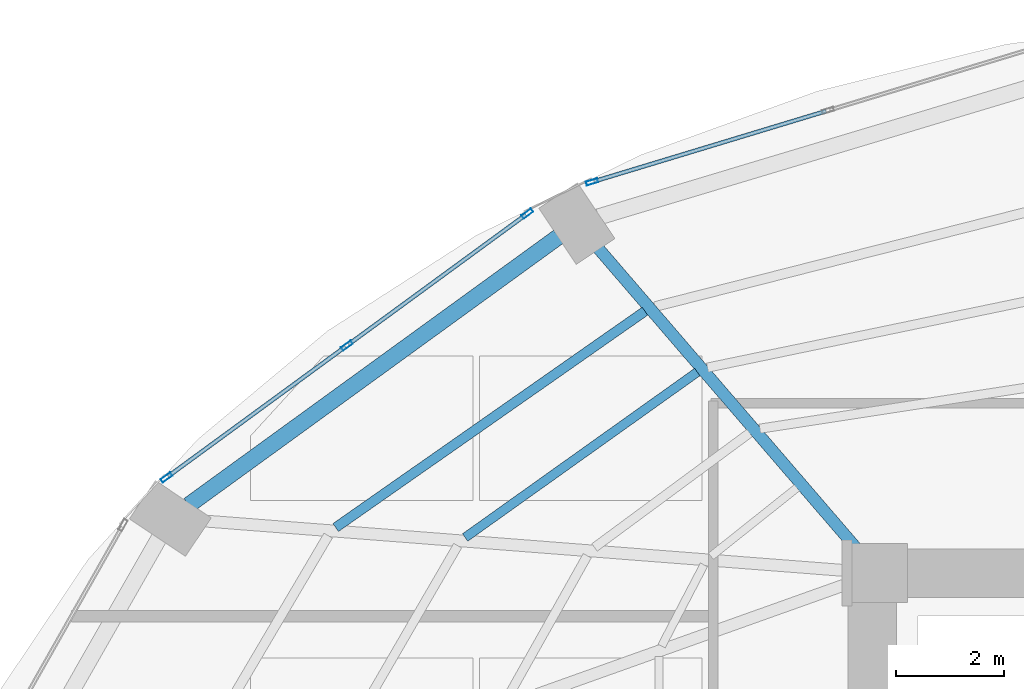
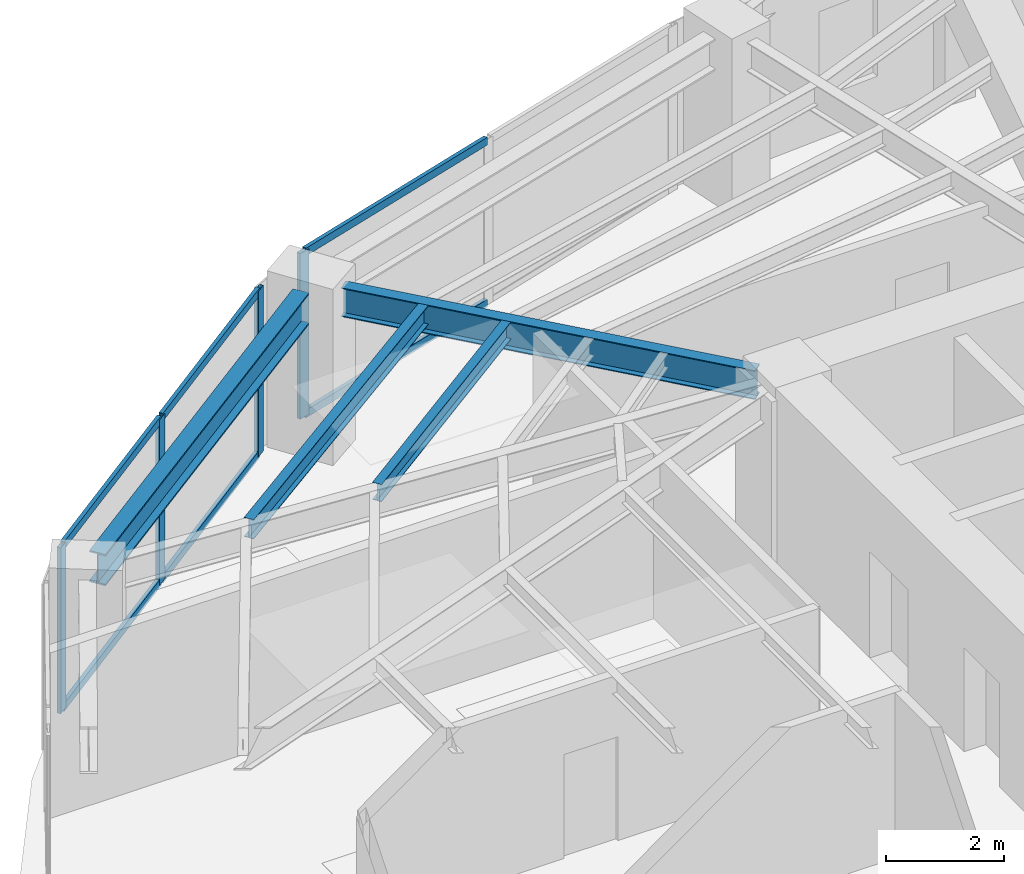
# One storey, part 13 of 24: 10 members, 4 beams, 2 elements without a shape of their own.
"""IFC4 building model written with IfcOpenShell, lengths in metres."""

from ifc_helpers import new_model, si_unit, direction, frame, origin, origin_2d, place, context, subcontext, project, spatial, hollow_rectangle, i_section, extrude, material, layer, layer_set, material_profile, profile_set, type_object, element, aggregate, save


model = new_model("IFC4")

# Units and contexts
model_context = context("Model", 3, precision=1e-05, world=origin(), true_north=direction((0.0, 1.0)))
body_context = subcontext(model_context, "Body", "Model", "MODEL_VIEW")
ifc_project = project(units=[si_unit("LENGTHUNIT", "METRE"), si_unit("AREAUNIT", "SQUARE_METRE"), si_unit("VOLUMEUNIT", "CUBIC_METRE"), si_unit("PLANEANGLEUNIT", "RADIAN"), si_unit("MASSUNIT", "GRAM", prefix="KILO")], contexts=[model_context])

# Site, building, storey
site_placement = place(None, origin())
site = spatial("IfcSite", under=ifc_project, at=site_placement, CompositionType="ELEMENT")
building_placement = place(site_placement, origin())
building = spatial("IfcBuilding", under=site, at=building_placement, Name="Lazwardi Medical Tower", CompositionType="ELEMENT")
storey_placement = place(building_placement, frame((0.0, 0.0, 61.679931640625)))
storey = spatial("IfcBuildingStorey", under=building, at=storey_placement, Name="L15", CompositionType="ELEMENT", Elevation=61.679931640625)

# Beams
ifc_material_1 = material(Name="Steel S355", Category="steel")
ifc_material_profile_1 = material_profile(ifc_material_1, i_section(OverallWidth=0.300048828125, OverallDepth=0.64990234375, WebThickness=0.01611328125, FlangeThickness=0.031005859375, at=origin_2d()), Name="HEB 650")
ifc_profile_set_1 = profile_set([ifc_material_profile_1], Name="Steel S355")
beam_type_1 = type_object("IfcBeamType", Name="BM-RB-Z1", PredefinedType="BEAM", material=ifc_profile_set_1)
beam_1_placement = place(storey_placement, frame((20.47900390625, 41.83740234375, 3.10302734375), z_axis=(-0.80939338516, -0.5872668457, 0.0), x_axis=(0.5872668457, -0.80939338516, 0.0)))
element("IfcBeam", 1, at=beam_1_placement, inside=storey, type_object=beam_type_1, Name="Ring beam RB-02 B10 L15", PredefinedType="BEAM", context=body_context, shape_type="SweptSolid", body=[
    extrude(i_section(OverallWidth=0.300048828125, OverallDepth=0.64990234375, WebThickness=0.01611328125, FlangeThickness=0.031005859375, at=origin_2d()), origin(), (0.0, 0.0, 1.0), 8.47412109375),
])
ifc_material_profile_2 = material_profile(ifc_material_1, i_section(OverallWidth=0.219970703125, OverallDepth=0.60009765625, WebThickness=0.011962890625, FlangeThickness=0.01904296875, at=origin_2d()), Name="IPE 600")
ifc_profile_set_2 = profile_set([ifc_material_profile_2], Name="Steel S355")
beam_type_2 = type_object("IfcBeamType", Name="BM-RG-W1", PredefinedType="BEAM", material=ifc_profile_set_2)
beam_2_placement = place(storey_placement, frame((21.197509765625, 41.644287109375, 3.128173828125), z_axis=(0.652368190463, -0.757902199543, 0.0), x_axis=(0.757902199543, 0.652368190463, 0.0)))
element("IfcBeam", 2, at=beam_2_placement, inside=storey, type_object=beam_type_2, Name="Radial girder RG-02 R10 L15", PredefinedType="BEAM", context=body_context, shape_type="SweptSolid", body=[
    extrude(i_section(OverallWidth=0.219970703125, OverallDepth=0.60009765625, WebThickness=0.011962890625, FlangeThickness=0.01904296875, at=origin_2d()), origin(), (0.0, 0.0, 1.0), 7.43994140625),
])
ifc_material_profile_3 = material_profile(ifc_material_1, i_section(OverallWidth=0.179931640625, OverallDepth=0.39990234375, WebThickness=0.008544921875, FlangeThickness=0.013427734375, at=origin_2d()), Name="IPE 400")
ifc_profile_set_3 = profile_set([ifc_material_profile_3], Name="Steel S355")
beam_type_3 = type_object("IfcBeamType", Name="BM-SJ-01", PredefinedType="JOIST", material=ifc_profile_set_3)
beam_3_placement = place(storey_placement, frame((22.08203125, 40.456298828125, 3.22802734375), z_axis=(-0.81942522483, -0.573186096231, 0.0), x_axis=(0.573186096231, -0.81942522483, 0.0)))
element("IfcBeam", 3, at=beam_3_placement, inside=storey, type_object=beam_type_3, Name="Secondary joist SJ-01 R1 B10 L15", PredefinedType="JOIST", context=body_context, shape_type="SweptSolid", body=[
    extrude(i_section(OverallWidth=0.179931640625, OverallDepth=0.39990234375, WebThickness=0.008544921875, FlangeThickness=0.013427734375, at=origin_2d()), origin(), (0.0, 0.0, 1.0), 6.999755859375),
])
ifc_material_profile_4 = material_profile(ifc_material_1, i_section(OverallWidth=0.169921875, OverallDepth=0.360107421875, WebThickness=0.008056640625, FlangeThickness=0.0126953125, at=origin_2d()), Name="IPE 360")
ifc_profile_set_4 = profile_set([ifc_material_profile_4], Name="Steel S355")
beam_type_4 = type_object("IfcBeamType", Name="BM-SJ-02", PredefinedType="JOIST", material=ifc_profile_set_4)
beam_4_placement = place(storey_placement, frame((23.05322265625, 39.327880859375, 3.248046875), z_axis=(-0.814341377136, -0.580386183058, 0.0), x_axis=(0.580386183058, -0.814341377136, 0.0)))
element("IfcBeam", 4, at=beam_4_placement, inside=storey, type_object=beam_type_4, Name="Secondary joist SJ-02 R2 B10 L15", PredefinedType="JOIST", context=body_context, shape_type="SweptSolid", body=[
    extrude(i_section(OverallWidth=0.169921875, OverallDepth=0.360107421875, WebThickness=0.008056640625, FlangeThickness=0.0126953125, at=origin_2d()), origin(), (0.0, 0.0, 1.0), 5.28759765625),
])

# Curtain wall, member
ifc_material_2 = material(Name="Anodised bronze aluminium and solar control glazing", Category="aluminium")
ifc_layer = layer(ifc_material_2, 0.199951171875)
ifc_layer_set = layer_set([ifc_layer], Name="Anodised bronze aluminium and solar control glazing")
curtain_wall_type = type_object("IfcCurtainWallType", Name="CW-SYS-02", PredefinedType="NOTDEFINED", material=ifc_layer_set)
curtain_wall_1_placement = place(storey_placement, origin())
curtain_wall_1 = element("IfcCurtainWall", 5, at=curtain_wall_1_placement, inside=storey, type_object=curtain_wall_type, Name="L15 Unitised bronze curtain wall CW-02", PredefinedType="NOTDEFINED")
ifc_material_3 = material(Name="Anodised bronze aluminium", Category="aluminium")
ifc_material_profile_5 = material_profile(ifc_material_3, hollow_rectangle(XDim=0.074951171875, YDim=0.219970703125, WallThickness=0.00390625, at=origin_2d()), Name="ALU-MULLION 220x75x4")
ifc_profile_set_5 = profile_set([ifc_material_profile_5], Name="Anodised bronze aluminium")
member_type_1 = type_object("IfcMemberType", Name="CW-MUL-01", PredefinedType="MULLION", material=ifc_profile_set_5)
member_1_placement = place(storey_placement, frame((21.1015625, 42.853271484375, 0.0), z_axis=(0.0, 0.0, 1.0), x_axis=(0.2898956909, -0.957058247129, 0.0)))
member_1 = element("IfcMember", 6, at=member_1_placement, type_object=member_type_1, Name="CW-02 mullion 3", PredefinedType="MULLION", context=body_context, shape_type="SweptSolid", body=[
    extrude(hollow_rectangle(XDim=0.074951171875, YDim=0.219970703125, WallThickness=0.00390625, at=origin_2d()), origin(), (0.0, 0.0, 1.0), 3.427978515625),
])

# Curtain wall, members
curtain_wall_2_placement = place(storey_placement, origin())
curtain_wall_2 = element("IfcCurtainWall", 7, at=curtain_wall_2_placement, inside=storey, type_object=curtain_wall_type, Name="L15 Unitised bronze curtain wall CW-02", PredefinedType="NOTDEFINED")
member_2_placement = place(storey_placement, frame((19.9013671875, 42.26611328125, 0.0), z_axis=(0.0, 0.0, 1.0), x_axis=(0.590289307341, -0.807191757663, 0.0)))
member_2 = element("IfcMember", 8, at=member_2_placement, type_object=member_type_1, Name="CW-02 mullion 1", PredefinedType="MULLION", context=body_context, shape_type="SweptSolid", body=[
    extrude(hollow_rectangle(XDim=0.074951171875, YDim=0.219970703125, WallThickness=0.00390625, at=origin_2d()), origin(), (0.0, 0.0, 1.0), 3.427978515625),
])
member_3_placement = place(storey_placement, frame((16.5556640625, 39.8193359375, 0.0), z_axis=(0.0, 0.0, 1.0), x_axis=(0.590289307341, -0.807191757663, 0.0)))
member_3 = element("IfcMember", 9, at=member_3_placement, type_object=member_type_1, Name="CW-02 mullion 2", PredefinedType="MULLION", context=body_context, shape_type="SweptSolid", body=[
    extrude(hollow_rectangle(XDim=0.074951171875, YDim=0.219970703125, WallThickness=0.00390625, at=origin_2d()), origin(), (0.0, 0.0, 1.0), 3.427978515625),
])
member_4_placement = place(storey_placement, frame((13.209716796875, 37.37255859375, 0.0), z_axis=(0.0, 0.0, 1.0), x_axis=(0.590289307341, -0.807191757663, 0.0)))
member_4 = element("IfcMember", 10, at=member_4_placement, type_object=member_type_1, Name="CW-02 mullion 3", PredefinedType="MULLION", context=body_context, shape_type="SweptSolid", body=[
    extrude(hollow_rectangle(XDim=0.074951171875, YDim=0.219970703125, WallThickness=0.00390625, at=origin_2d()), origin(), (0.0, 0.0, 1.0), 3.427978515625),
])

# Member
ifc_material_profile_6 = material_profile(ifc_material_3, hollow_rectangle(XDim=0.074951171875, YDim=0.159912109375, WallThickness=0.00390625, at=origin_2d()), Name="ALU-TRANSOM 160x75x4")
ifc_profile_set_6 = profile_set([ifc_material_profile_6], Name="Anodised bronze aluminium")
member_type_2 = type_object("IfcMemberType", Name="CW-TRN-01", PredefinedType="USERDEFINED", material=ifc_profile_set_6)
member_5_placement = place(storey_placement, frame((25.44091796875, 44.16748046875, 0.03759765625), z_axis=(-0.957062297904, -0.289882317383, 0.0), x_axis=(0.289882317383, -0.957062297904, 0.0)))
member_5 = element("IfcMember", 11, at=member_5_placement, type_object=member_type_2, Name="CW-02 transom 2.1", ObjectType="TRANSOM", PredefinedType="USERDEFINED", context=body_context, shape_type="SweptSolid", body=[
    extrude(hollow_rectangle(XDim=0.074951171875, YDim=0.159912109375, WallThickness=0.00390625, at=origin_2d()), origin(), (0.0, 0.0, 1.0), 4.49658203125),
])

member_6_placement = place(storey_placement, frame((25.44091796875, 44.16748046875, 3.390625), z_axis=(-0.957062297904, -0.289882317383, 0.0), x_axis=(0.289882317383, -0.957062297904, 0.0)))
member_6 = element("IfcMember", 12, at=member_6_placement, type_object=member_type_2, Name="CW-02 transom 2.2", ObjectType="TRANSOM", PredefinedType="USERDEFINED", context=body_context, shape_type="SweptSolid", body=[
    extrude(hollow_rectangle(XDim=0.074951171875, YDim=0.159912109375, WallThickness=0.00390625, at=origin_2d()), origin(), (0.0, 0.0, 1.0), 4.49658203125),
])

aggregate(curtain_wall_1, [member_1, member_5, member_6])

member_7_placement = place(storey_placement, frame((19.87109375, 42.243896484375, 0.03759765625), z_axis=(-0.807197636578, -0.590281268128, 0.0), x_axis=(0.590281268128, -0.807197636578, 0.0)))
member_7 = element("IfcMember", 13, at=member_7_placement, type_object=member_type_2, Name="CW-02 transom 1.1", ObjectType="TRANSOM", PredefinedType="USERDEFINED", context=body_context, shape_type="SweptSolid", body=[
    extrude(hollow_rectangle(XDim=0.074951171875, YDim=0.159912109375, WallThickness=0.00390625, at=origin_2d()), origin(), (0.0, 0.0, 1.0), 4.06982421875),
])

member_8_placement = place(storey_placement, frame((19.87109375, 42.243896484375, 3.390625), z_axis=(-0.807197636578, -0.590281268128, 0.0), x_axis=(0.590281268128, -0.807197636578, 0.0)))
member_8 = element("IfcMember", 14, at=member_8_placement, type_object=member_type_2, Name="CW-02 transom 1.2", ObjectType="TRANSOM", PredefinedType="USERDEFINED", context=body_context, shape_type="SweptSolid", body=[
    extrude(hollow_rectangle(XDim=0.074951171875, YDim=0.159912109375, WallThickness=0.00390625, at=origin_2d()), origin(), (0.0, 0.0, 1.0), 4.06982421875),
])

member_9_placement = place(storey_placement, frame((16.525390625, 39.797119140625, 0.03759765625), z_axis=(-0.807218536774, -0.590252686472, 0.0), x_axis=(0.590252686472, -0.807218536774, 0.0)))
member_9 = element("IfcMember", 15, at=member_9_placement, type_object=member_type_2, Name="CW-02 transom 2.1", ObjectType="TRANSOM", PredefinedType="USERDEFINED", context=body_context, shape_type="SweptSolid", body=[
    extrude(hollow_rectangle(XDim=0.074951171875, YDim=0.159912109375, WallThickness=0.00390625, at=origin_2d()), origin(), (0.0, 0.0, 1.0), 4.070068359375),
])

member_10_placement = place(storey_placement, frame((16.525390625, 39.797119140625, 3.390625), z_axis=(-0.807218536774, -0.590252686472, 0.0), x_axis=(0.590252686472, -0.807218536774, 0.0)))
member_10 = element("IfcMember", 16, at=member_10_placement, type_object=member_type_2, Name="CW-02 transom 2.2", ObjectType="TRANSOM", PredefinedType="USERDEFINED", context=body_context, shape_type="SweptSolid", body=[
    extrude(hollow_rectangle(XDim=0.074951171875, YDim=0.159912109375, WallThickness=0.00390625, at=origin_2d()), origin(), (0.0, 0.0, 1.0), 4.070068359375),
])

aggregate(curtain_wall_2, [member_2, member_3, member_4, member_7, member_8, member_9, member_10])

save(model, "model.ifc")
